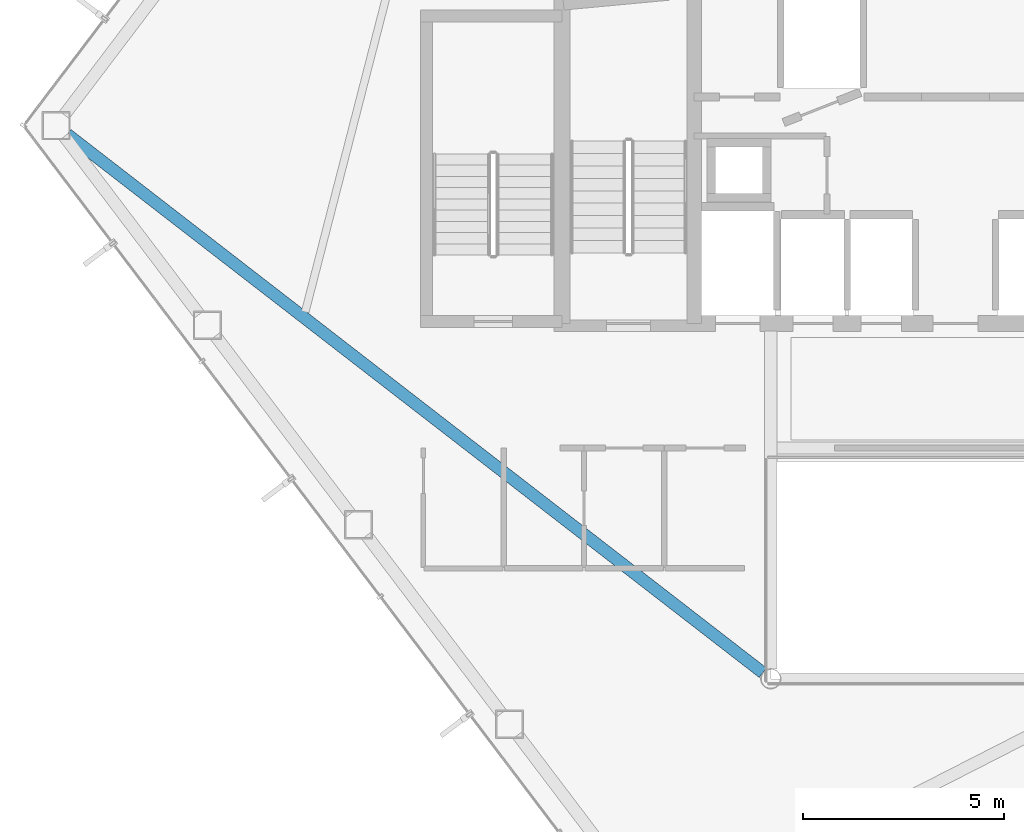
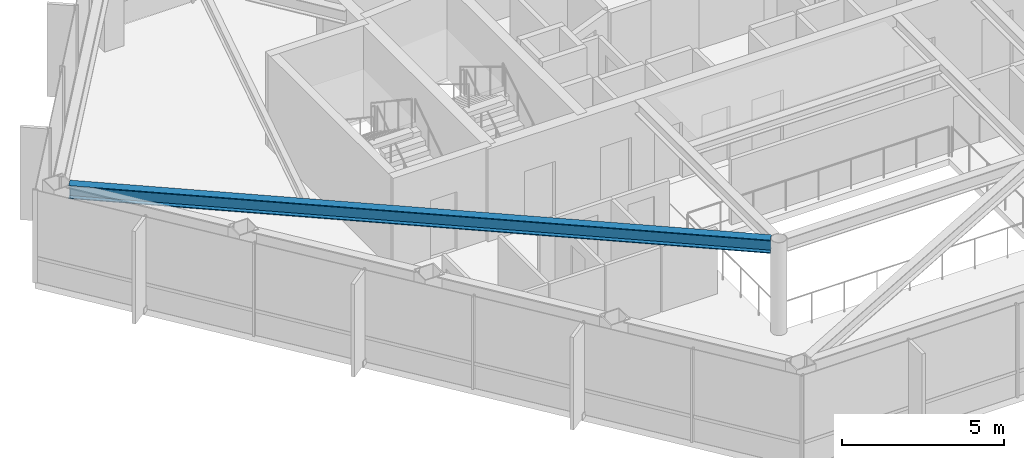
# One storey, part 5 of 28: 1 beam.
"""IFC4 building model written with IfcOpenShell, lengths in metres."""

from ifc_helpers import new_model, si_unit, direction, frame, origin, origin_2d, place, context, subcontext, project, spatial, i_section, extrude, material, material_profile, profile_set, type_object, element, save


model = new_model("IFC4")

# Units and contexts
model_context = context("Model", 3, precision=1e-05, world=origin(), true_north=direction((0.0, 1.0)))
body_context = subcontext(model_context, "Body", "Model", "MODEL_VIEW")
ifc_project = project(units=[si_unit("LENGTHUNIT", "METRE"), si_unit("AREAUNIT", "SQUARE_METRE"), si_unit("VOLUMEUNIT", "CUBIC_METRE"), si_unit("PLANEANGLEUNIT", "RADIAN"), si_unit("MASSUNIT", "GRAM", prefix="KILO")], contexts=[model_context])

# Site, building, storey
site_placement = place(None, origin())
site = spatial("IfcSite", under=ifc_project, at=site_placement, CompositionType="ELEMENT")
building_placement = place(site_placement, origin())
building = spatial("IfcBuilding", under=site, at=building_placement, Name="Zarrinselat Tower", CompositionType="ELEMENT")
storey_placement = place(building_placement, frame((0.0, 0.0, 164.56005859375)))
storey = spatial("IfcBuildingStorey", under=building, at=storey_placement, Name="L40", CompositionType="ELEMENT", Elevation=164.56005859375)

# Beam
ifc_material = material(Name="Steel S355J2", Category="steel")
ifc_material_profile = material_profile(ifc_material, i_section(OverallWidth=0.300048828125, OverallDepth=0.5, WebThickness=0.014404296875, FlangeThickness=0.028076171875, at=origin_2d()), Name="HEB 500")
ifc_profile_set = profile_set([ifc_material_profile], Name="Steel S355J2")
beam_type = type_object("IfcBeamType", Name="BM-HEB500", PredefinedType="BEAM", material=ifc_profile_set)
beam_placement = place(storey_placement, frame((16.28759765625, 37.95556640625, 3.25), z_axis=(0.790775414506, -0.612106399094, 0.0), x_axis=(0.612106399094, 0.790775414506, 0.0)))
element("IfcBeam", 1, at=beam_placement, inside=storey, type_object=beam_type, Name="L40 Radial Primary Girder RG06", PredefinedType="BEAM", context=body_context, shape_type="SweptSolid", body=[
    extrude(i_section(OverallWidth=0.300048828125, OverallDepth=0.5, WebThickness=0.014404296875, FlangeThickness=0.028076171875, at=origin_2d()), origin(), (0.0, 0.0, 1.0), 21.895751953125),
])

save(model, "model.ifc")
